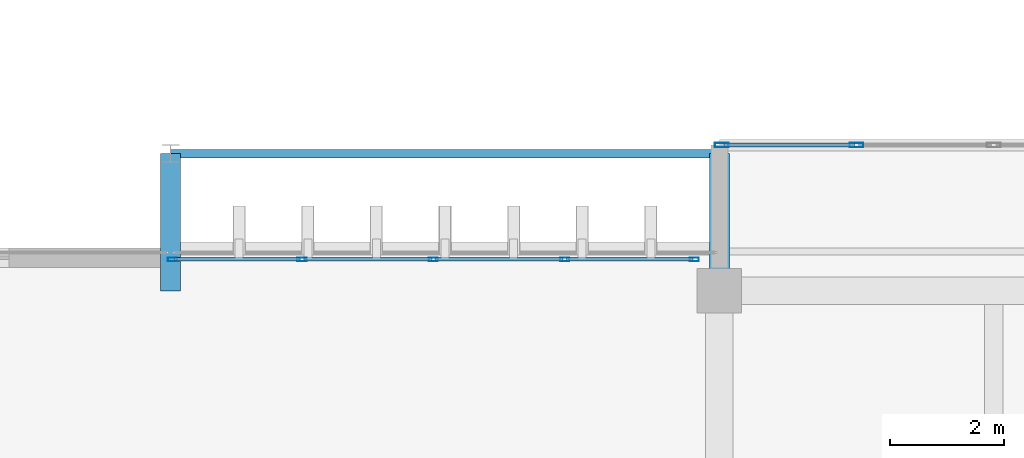
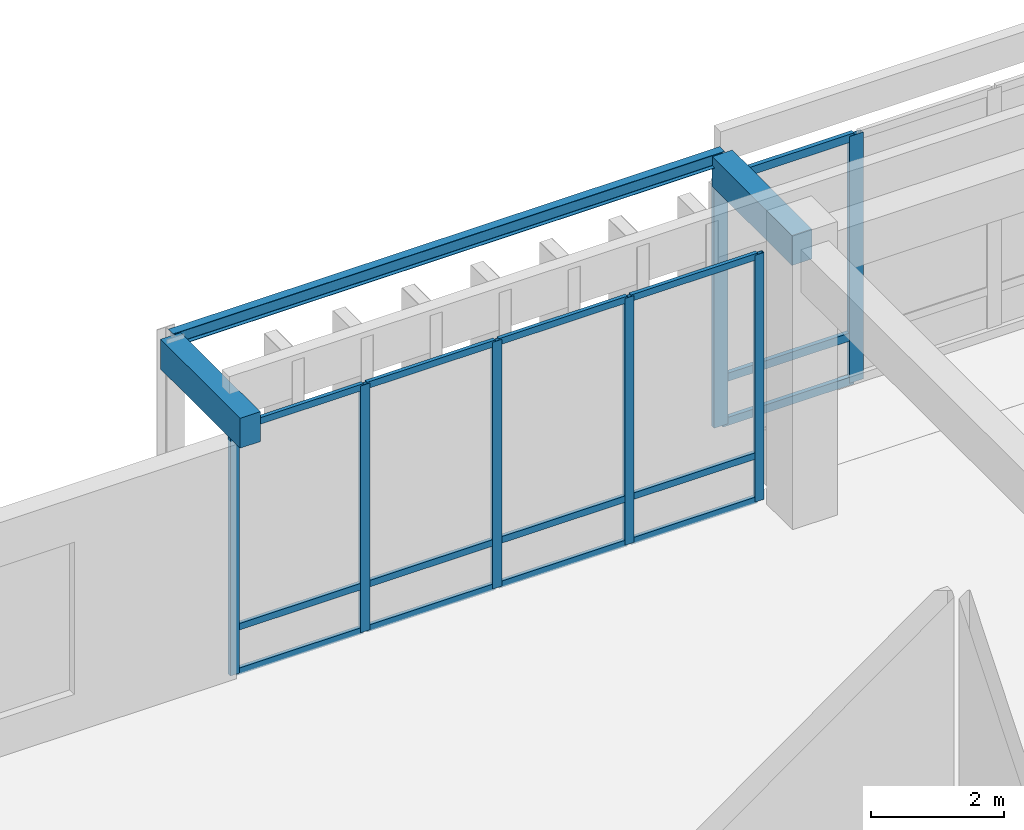
# One storey, part 49 of 134: 22 members, 3 beams, 2 elements without a shape of their own.
"""IFC4 building model written with IfcOpenShell, lengths in metres."""

from ifc_helpers import new_model, si_unit, direction, frame, origin, origin_2d, place, context, subcontext, project, spatial, rectangle, hollow_rectangle, i_section, extrude, material, layer, layer_set, material_profile, profile_set, type_object, element, aggregate, save


model = new_model("IFC4")

# Units and contexts
model_context = context("Model", 3, precision=1e-05, world=origin(), true_north=direction((0.0, 1.0)))
body_context = subcontext(model_context, "Body", "Model", "MODEL_VIEW")
ifc_project = project(units=[si_unit("LENGTHUNIT", "METRE"), si_unit("AREAUNIT", "SQUARE_METRE"), si_unit("VOLUMEUNIT", "CUBIC_METRE"), si_unit("PLANEANGLEUNIT", "RADIAN"), si_unit("MASSUNIT", "GRAM", prefix="KILO")], contexts=[model_context])

# Site, building, storey
site_placement = place(None, origin())
site = spatial("IfcSite", under=ifc_project, at=site_placement, CompositionType="ELEMENT")
building_placement = place(site_placement, origin())
building = spatial("IfcBuilding", under=site, at=building_placement, Name="Nakhvara Creek Congress Hotel", CompositionType="ELEMENT")
storey_placement = place(building_placement, frame((0.0, 0.0, 6.0)))
storey = spatial("IfcBuildingStorey", under=building, at=storey_placement, Name="L01", CompositionType="ELEMENT", Elevation=6.0)

# Beams
ifc_material_1 = material(Name="Concrete C40/50", Category="concrete")
ifc_material_profile_1 = material_profile(ifc_material_1, rectangle(XDim=0.35009765625, YDim=0.550048828125, at=origin_2d()), Name="RC-BM 350x550", Category="LoadBearing")
ifc_profile_set_1 = profile_set([ifc_material_profile_1], Name="Concrete C40/50")
beam_type_1 = type_object("IfcBeamType", Name="BM-CANT-BOX", PredefinedType="BEAM", material=ifc_profile_set_1)
for number, where, z_axis, x_axis, name in (
    (1, (67.199951171875, 95.25, 4.824951171875), (0.0, 1.0, 0.0), (-1.0, 0.0, 0.0), "Foyer Box Outrigger Beam PBOX-L02-N1-67"),
    (2, (76.800048828125, 95.25, 4.824951171875), (0.0, 1.0, 0.0), (-1.0, 0.0, 0.0), "Foyer Box Outrigger Beam PBOX-L02-N1-76"),
):
    element("IfcBeam", number, at=place(storey_placement, frame(where, z_axis=z_axis, x_axis=x_axis)), inside=storey, type_object=beam_type_1, Name=name, PredefinedType="BEAM", context=body_context, shape_type="SweptSolid", body=[
        extrude(rectangle(XDim=0.35009765625, YDim=0.550048828125, at=origin_2d()), origin(), (0.0, 0.0, 1.0), 2.39990234375),
    ])
ifc_material_2 = material(Name="Steel S355J2", Category="steel")
ifc_material_profile_2 = material_profile(ifc_material_2, i_section(OverallWidth=0.14599609375, OverallDepth=0.25146484375, WebThickness=0.006103515625, FlangeThickness=0.008544921875, FilletRadius=0.007568359375, at=origin_2d()), Name="UB 254x146x31", Category="LoadBearing")
ifc_profile_set_2 = profile_set([ifc_material_profile_2], Name="Steel S355J2")
beam_type_2 = type_object("IfcBeamType", Name="BM-ST-UB254", PredefinedType="SPANDREL", material=ifc_profile_set_2)
beam_placement = place(storey_placement, frame((67.199951171875, 97.64990234375, 5.05419921875), z_axis=(1.0, 0.0, 0.0), x_axis=(0.0, 1.0, 0.0)))
element("IfcBeam", 3, at=beam_placement, inside=storey, type_object=beam_type_2, Name="Foyer Box Edge Spandrel PBOX-L02-N1", PredefinedType="SPANDREL", context=body_context, shape_type="SweptSolid", body=[
    extrude(i_section(OverallWidth=0.14599609375, OverallDepth=0.25146484375, WebThickness=0.006103515625, FlangeThickness=0.008544921875, FilletRadius=0.007568359375, at=origin_2d()), origin(), (0.0, 0.0, 1.0), 9.60009765625),
])

# Curtain wall, members
ifc_material_3 = material(Name="Bronze-anodised aluminium AW-6063-T6 and double-silver low-E glass", Category="aluminium")
ifc_layer_1 = layer(ifc_material_3, 0.199951171875)
ifc_layer_set_1 = layer_set([ifc_layer_1], Name="Bronze-anodised aluminium AW-6063-T6 and double-silver low-E glass")
curtain_wall_type_1 = type_object("IfcCurtainWallType", Name="CW-POD-STICK", PredefinedType="NOTDEFINED", material=ifc_layer_set_1)
curtain_wall_1_placement = place(storey_placement, origin())
curtain_wall_1 = element("IfcCurtainWall", 4, at=curtain_wall_1_placement, inside=storey, type_object=curtain_wall_type_1, Name="Curtain Wall CW069", PredefinedType="NOTDEFINED")
ifc_material_4 = material(Name="Bronze-anodised aluminium AW-6063-T6", Category="aluminium")
ifc_material_profile_3 = material_profile(ifc_material_4, hollow_rectangle(XDim=0.06494140625, YDim=0.159912109375, WallThickness=0.00390625, at=origin_2d()), Name="ALU-MULL 65x160x4", Category="LoadBearing")
ifc_profile_set_3 = profile_set([ifc_material_profile_3], Name="Bronze-anodised aluminium AW-6063-T6")
member_type_1 = type_object("IfcMemberType", Name="CW-MULL-160", PredefinedType="MULLION", material=ifc_profile_set_3)
member_1_placement = place(storey_placement, frame((67.232421875, 95.800048828125, 0.0), z_axis=(0.0, 0.0, 1.0), x_axis=(0.0, 1.0, 0.0)))
member_1 = element("IfcMember", 5, at=member_1_placement, type_object=member_type_1, Name="CW069 mullion 1", PredefinedType="MULLION", context=body_context, shape_type="SweptSolid", body=[
    extrude(hollow_rectangle(XDim=0.06494140625, YDim=0.159912109375, WallThickness=0.00390625, at=origin_2d()), origin(), (0.0, 0.0, 1.0), 4.5419921875),
])
member_2_placement = place(storey_placement, frame((69.498779296875, 95.800048828125, 0.0), z_axis=(0.0, 0.0, 1.0), x_axis=(0.0, 1.0, 0.0)))
member_2 = element("IfcMember", 6, at=member_2_placement, type_object=member_type_1, Name="CW069 mullion 2", PredefinedType="MULLION", context=body_context, shape_type="SweptSolid", body=[
    extrude(hollow_rectangle(XDim=0.06494140625, YDim=0.159912109375, WallThickness=0.00390625, at=origin_2d()), origin(), (0.0, 0.0, 1.0), 4.5419921875),
])
member_3_placement = place(storey_placement, frame((71.797607421875, 95.800048828125, 0.0), z_axis=(0.0, 0.0, 1.0), x_axis=(0.0, 1.0, 0.0)))
member_3 = element("IfcMember", 7, at=member_3_placement, type_object=member_type_1, Name="CW069 mullion 3", PredefinedType="MULLION", context=body_context, shape_type="SweptSolid", body=[
    extrude(hollow_rectangle(XDim=0.06494140625, YDim=0.159912109375, WallThickness=0.00390625, at=origin_2d()), origin(), (0.0, 0.0, 1.0), 4.5419921875),
])
member_4_placement = place(storey_placement, frame((74.09619140625, 95.800048828125, 0.0), z_axis=(0.0, 0.0, 1.0), x_axis=(0.0, 1.0, 0.0)))
member_4 = element("IfcMember", 8, at=member_4_placement, type_object=member_type_1, Name="CW069 mullion 4", PredefinedType="MULLION", context=body_context, shape_type="SweptSolid", body=[
    extrude(hollow_rectangle(XDim=0.06494140625, YDim=0.159912109375, WallThickness=0.00390625, at=origin_2d()), origin(), (0.0, 0.0, 1.0), 4.5419921875),
])
member_5_placement = place(storey_placement, frame((76.362548828125, 95.800048828125, 0.0), z_axis=(0.0, 0.0, 1.0), x_axis=(0.0, 1.0, 0.0)))
member_5 = element("IfcMember", 9, at=member_5_placement, type_object=member_type_1, Name="CW069 mullion 5", PredefinedType="MULLION", context=body_context, shape_type="SweptSolid", body=[
    extrude(hollow_rectangle(XDim=0.06494140625, YDim=0.159912109375, WallThickness=0.00390625, at=origin_2d()), origin(), (0.0, 0.0, 1.0), 4.5419921875),
])

ifc_layer_2 = layer(ifc_material_3, 0.219970703125)
ifc_layer_set_2 = layer_set([ifc_layer_2], Name="Bronze-anodised aluminium AW-6063-T6 and double-silver low-E glass")
curtain_wall_type_2 = type_object("IfcCurtainWallType", Name="CW-BOX-PROJ", PredefinedType="USERDEFINED", material=ifc_layer_set_2)
curtain_wall_2_placement = place(storey_placement, origin())
curtain_wall_2 = element("IfcCurtainWall", 10, at=curtain_wall_2_placement, inside=storey, type_object=curtain_wall_type_2, Name="Curtain Wall CW065", ObjectType="UNITISED", PredefinedType="USERDEFINED")
ifc_material_profile_4 = material_profile(ifc_material_4, hollow_rectangle(XDim=0.080078125, YDim=0.239990234375, WallThickness=0.0048828125, at=origin_2d()), Name="ALU-MULL 80x240x5", Category="LoadBearing")
ifc_profile_set_4 = profile_set([ifc_material_profile_4], Name="Bronze-anodised aluminium AW-6063-T6")
member_type_2 = type_object("IfcMemberType", Name="CW-MULL-240", PredefinedType="MULLION", material=ifc_profile_set_4)
member_6_placement = place(storey_placement, frame((76.840087890625, 97.800048828125, 0.0), z_axis=(0.0, 0.0, 1.0), x_axis=(0.0, 1.0, 0.0)))
member_6 = element("IfcMember", 11, at=member_6_placement, type_object=member_type_2, Name="CW065 mullion 1", PredefinedType="MULLION", context=body_context, shape_type="SweptSolid", body=[
    extrude(hollow_rectangle(XDim=0.080078125, YDim=0.239990234375, WallThickness=0.0048828125, at=origin_2d()), origin(), (0.0, 0.0, 1.0), 4.5419921875),
])
member_7_placement = place(storey_placement, frame((79.199951171875, 97.800048828125, 0.0), z_axis=(0.0, 0.0, 1.0), x_axis=(0.0, 1.0, 0.0)))
member_7 = element("IfcMember", 12, at=member_7_placement, type_object=member_type_2, Name="CW065 mullion 2", PredefinedType="MULLION", context=body_context, shape_type="SweptSolid", body=[
    extrude(hollow_rectangle(XDim=0.080078125, YDim=0.239990234375, WallThickness=0.0048828125, at=origin_2d()), origin(), (0.0, 0.0, 1.0), 4.5419921875),
])

# Member
ifc_material_profile_5 = material_profile(ifc_material_4, hollow_rectangle(XDim=0.06494140625, YDim=0.1201171875, WallThickness=0.00390625, at=origin_2d()), Name="ALU-TRAN 65x120x4", Category="LoadBearing")
ifc_profile_set_5 = profile_set([ifc_material_profile_5], Name="Bronze-anodised aluminium AW-6063-T6")
member_type_3 = type_object("IfcMemberType", Name="CW-TRAN-120", PredefinedType="USERDEFINED", material=ifc_profile_set_5)
member_8_placement = place(storey_placement, frame((67.264892578125, 95.800048828125, 0.032470703125), z_axis=(1.0, 0.0, 0.0), x_axis=(0.0, 1.0, 0.0)))
member_8 = element("IfcMember", 13, at=member_8_placement, type_object=member_type_3, Name="CW069 transom 1.1", ObjectType="TRANSOM", PredefinedType="USERDEFINED", context=body_context, shape_type="SweptSolid", body=[
    extrude(hollow_rectangle(XDim=0.06494140625, YDim=0.1201171875, WallThickness=0.00390625, at=origin_2d()), origin(), (0.0, 0.0, 1.0), 2.201416015625),
])

member_9_placement = place(storey_placement, frame((67.264892578125, 95.800048828125, 0.85009765625), z_axis=(1.0, 0.0, 0.0), x_axis=(0.0, 1.0, 0.0)))
member_9 = element("IfcMember", 14, at=member_9_placement, type_object=member_type_3, Name="CW069 transom 1.2", ObjectType="TRANSOM", PredefinedType="USERDEFINED", context=body_context, shape_type="SweptSolid", body=[
    extrude(hollow_rectangle(XDim=0.06494140625, YDim=0.1201171875, WallThickness=0.00390625, at=origin_2d()), origin(), (0.0, 0.0, 1.0), 2.201416015625),
])

member_10_placement = place(storey_placement, frame((67.264892578125, 95.800048828125, 4.509521484375), z_axis=(1.0, 0.0, 0.0), x_axis=(0.0, 1.0, 0.0)))
member_10 = element("IfcMember", 15, at=member_10_placement, type_object=member_type_3, Name="CW069 transom 1.3", ObjectType="TRANSOM", PredefinedType="USERDEFINED", context=body_context, shape_type="SweptSolid", body=[
    extrude(hollow_rectangle(XDim=0.06494140625, YDim=0.1201171875, WallThickness=0.00390625, at=origin_2d()), origin(), (0.0, 0.0, 1.0), 2.201416015625),
])

member_11_placement = place(storey_placement, frame((69.53125, 95.800048828125, 0.032470703125), z_axis=(1.0, 0.0, 0.0), x_axis=(0.0, 1.0, 0.0)))
member_11 = element("IfcMember", 16, at=member_11_placement, type_object=member_type_3, Name="CW069 transom 2.1", ObjectType="TRANSOM", PredefinedType="USERDEFINED", context=body_context, shape_type="SweptSolid", body=[
    extrude(hollow_rectangle(XDim=0.06494140625, YDim=0.1201171875, WallThickness=0.00390625, at=origin_2d()), origin(), (0.0, 0.0, 1.0), 2.233642578125),
])

member_12_placement = place(storey_placement, frame((69.53125, 95.800048828125, 0.85009765625), z_axis=(1.0, 0.0, 0.0), x_axis=(0.0, 1.0, 0.0)))
member_12 = element("IfcMember", 17, at=member_12_placement, type_object=member_type_3, Name="CW069 transom 2.2", ObjectType="TRANSOM", PredefinedType="USERDEFINED", context=body_context, shape_type="SweptSolid", body=[
    extrude(hollow_rectangle(XDim=0.06494140625, YDim=0.1201171875, WallThickness=0.00390625, at=origin_2d()), origin(), (0.0, 0.0, 1.0), 2.233642578125),
])

member_13_placement = place(storey_placement, frame((69.53125, 95.800048828125, 4.509521484375), z_axis=(1.0, 0.0, 0.0), x_axis=(0.0, 1.0, 0.0)))
member_13 = element("IfcMember", 18, at=member_13_placement, type_object=member_type_3, Name="CW069 transom 2.3", ObjectType="TRANSOM", PredefinedType="USERDEFINED", context=body_context, shape_type="SweptSolid", body=[
    extrude(hollow_rectangle(XDim=0.06494140625, YDim=0.1201171875, WallThickness=0.00390625, at=origin_2d()), origin(), (0.0, 0.0, 1.0), 2.233642578125),
])

member_14_placement = place(storey_placement, frame((71.830078125, 95.800048828125, 0.032470703125), z_axis=(1.0, 0.0, 0.0), x_axis=(0.0, 1.0, 0.0)))
member_14 = element("IfcMember", 19, at=member_14_placement, type_object=member_type_3, Name="CW069 transom 3.1", ObjectType="TRANSOM", PredefinedType="USERDEFINED", context=body_context, shape_type="SweptSolid", body=[
    extrude(hollow_rectangle(XDim=0.06494140625, YDim=0.1201171875, WallThickness=0.00390625, at=origin_2d()), origin(), (0.0, 0.0, 1.0), 2.233642578125),
])

member_15_placement = place(storey_placement, frame((71.830078125, 95.800048828125, 0.85009765625), z_axis=(1.0, 0.0, 0.0), x_axis=(0.0, 1.0, 0.0)))
member_15 = element("IfcMember", 20, at=member_15_placement, type_object=member_type_3, Name="CW069 transom 3.2", ObjectType="TRANSOM", PredefinedType="USERDEFINED", context=body_context, shape_type="SweptSolid", body=[
    extrude(hollow_rectangle(XDim=0.06494140625, YDim=0.1201171875, WallThickness=0.00390625, at=origin_2d()), origin(), (0.0, 0.0, 1.0), 2.233642578125),
])

member_16_placement = place(storey_placement, frame((71.830078125, 95.800048828125, 4.509521484375), z_axis=(1.0, 0.0, 0.0), x_axis=(0.0, 1.0, 0.0)))
member_16 = element("IfcMember", 21, at=member_16_placement, type_object=member_type_3, Name="CW069 transom 3.3", ObjectType="TRANSOM", PredefinedType="USERDEFINED", context=body_context, shape_type="SweptSolid", body=[
    extrude(hollow_rectangle(XDim=0.06494140625, YDim=0.1201171875, WallThickness=0.00390625, at=origin_2d()), origin(), (0.0, 0.0, 1.0), 2.233642578125),
])

member_17_placement = place(storey_placement, frame((74.128662109375, 95.800048828125, 0.032470703125), z_axis=(1.0, 0.0, 0.0), x_axis=(0.0, 1.0, 0.0)))
member_17 = element("IfcMember", 22, at=member_17_placement, type_object=member_type_3, Name="CW069 transom 4.1", ObjectType="TRANSOM", PredefinedType="USERDEFINED", context=body_context, shape_type="SweptSolid", body=[
    extrude(hollow_rectangle(XDim=0.06494140625, YDim=0.1201171875, WallThickness=0.00390625, at=origin_2d()), origin(), (0.0, 0.0, 1.0), 2.201416015625),
])

member_18_placement = place(storey_placement, frame((74.128662109375, 95.800048828125, 0.85009765625), z_axis=(1.0, 0.0, 0.0), x_axis=(0.0, 1.0, 0.0)))
member_18 = element("IfcMember", 23, at=member_18_placement, type_object=member_type_3, Name="CW069 transom 4.2", ObjectType="TRANSOM", PredefinedType="USERDEFINED", context=body_context, shape_type="SweptSolid", body=[
    extrude(hollow_rectangle(XDim=0.06494140625, YDim=0.1201171875, WallThickness=0.00390625, at=origin_2d()), origin(), (0.0, 0.0, 1.0), 2.201416015625),
])

member_19_placement = place(storey_placement, frame((74.128662109375, 95.800048828125, 4.509521484375), z_axis=(1.0, 0.0, 0.0), x_axis=(0.0, 1.0, 0.0)))
member_19 = element("IfcMember", 24, at=member_19_placement, type_object=member_type_3, Name="CW069 transom 4.3", ObjectType="TRANSOM", PredefinedType="USERDEFINED", context=body_context, shape_type="SweptSolid", body=[
    extrude(hollow_rectangle(XDim=0.06494140625, YDim=0.1201171875, WallThickness=0.00390625, at=origin_2d()), origin(), (0.0, 0.0, 1.0), 2.201416015625),
])

aggregate(curtain_wall_1, [member_1, member_2, member_3, member_4, member_5, member_8, member_9, member_10, member_11, member_12, member_13, member_14, member_15, member_16, member_17, member_18, member_19])

ifc_material_profile_6 = material_profile(ifc_material_4, hollow_rectangle(XDim=0.074951171875, YDim=0.14990234375, WallThickness=0.00390625, at=origin_2d()), Name="ALU-TRAN 75x150x4", Category="LoadBearing")
ifc_profile_set_6 = profile_set([ifc_material_profile_6], Name="Bronze-anodised aluminium AW-6063-T6")
member_type_4 = type_object("IfcMemberType", Name="CW-TRAN-150", PredefinedType="USERDEFINED", material=ifc_profile_set_6)
member_20_placement = place(storey_placement, frame((76.8798828125, 97.800048828125, 0.03759765625), z_axis=(1.0, 0.0, 0.0), x_axis=(0.0, 1.0, 0.0)))
member_20 = element("IfcMember", 25, at=member_20_placement, type_object=member_type_4, Name="CW065 transom 1.1", ObjectType="TRANSOM", PredefinedType="USERDEFINED", context=body_context, shape_type="SweptSolid", body=[
    extrude(hollow_rectangle(XDim=0.074951171875, YDim=0.14990234375, WallThickness=0.00390625, at=origin_2d()), origin(), (0.0, 0.0, 1.0), 2.280029296875),
])

member_21_placement = place(storey_placement, frame((76.8798828125, 97.800048828125, 0.85009765625), z_axis=(1.0, 0.0, 0.0), x_axis=(0.0, 1.0, 0.0)))
member_21 = element("IfcMember", 26, at=member_21_placement, type_object=member_type_4, Name="CW065 transom 1.2", ObjectType="TRANSOM", PredefinedType="USERDEFINED", context=body_context, shape_type="SweptSolid", body=[
    extrude(hollow_rectangle(XDim=0.074951171875, YDim=0.14990234375, WallThickness=0.00390625, at=origin_2d()), origin(), (0.0, 0.0, 1.0), 2.280029296875),
])

member_22_placement = place(storey_placement, frame((76.8798828125, 97.800048828125, 4.50439453125), z_axis=(1.0, 0.0, 0.0), x_axis=(0.0, 1.0, 0.0)))
member_22 = element("IfcMember", 27, at=member_22_placement, type_object=member_type_4, Name="CW065 transom 1.3", ObjectType="TRANSOM", PredefinedType="USERDEFINED", context=body_context, shape_type="SweptSolid", body=[
    extrude(hollow_rectangle(XDim=0.074951171875, YDim=0.14990234375, WallThickness=0.00390625, at=origin_2d()), origin(), (0.0, 0.0, 1.0), 2.280029296875),
])

aggregate(curtain_wall_2, [member_6, member_7, member_20, member_21, member_22])

save(model, "model.ifc")
